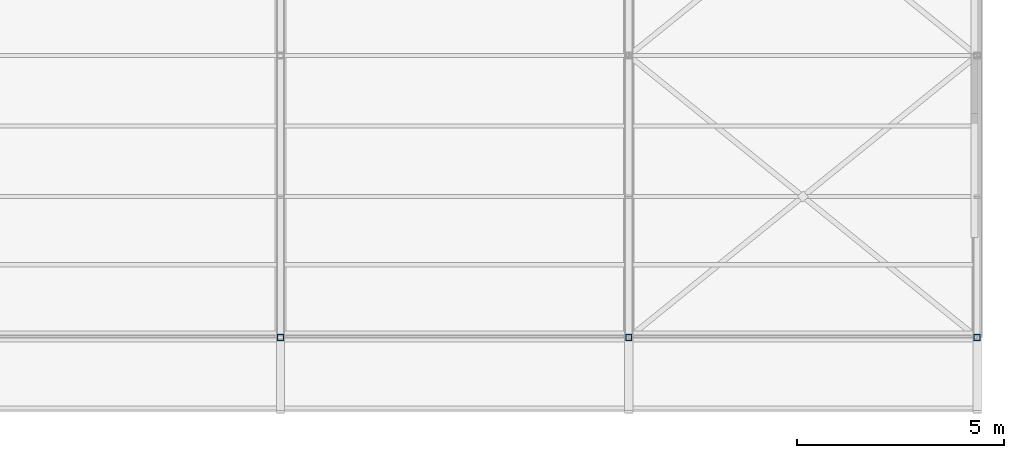
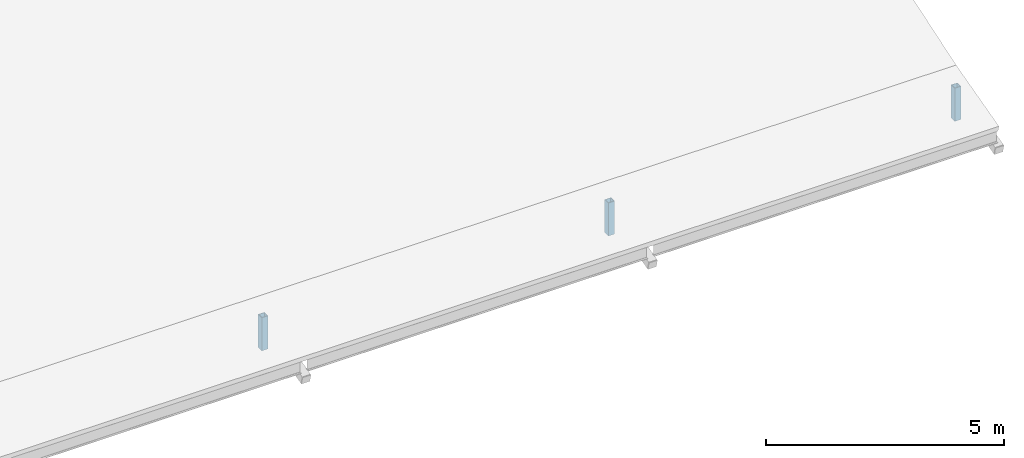
# One storey, part 37 of 89: 3 members.
"""IFC4 building model written with IfcOpenShell, lengths in metres."""

from ifc_helpers import new_model, si_unit, direction, frame, origin, origin_2d, place, context, subcontext, project, spatial, hollow_rectangle, extrude, material, material_profile, profile_set, type_object, element, save


model = new_model("IFC4")

# Units and contexts
model_context = context("Model", 3, precision=1e-05, world=origin(), true_north=direction((0.0, 1.0)))
body_context = subcontext(model_context, "Body", "Model", "MODEL_VIEW")
ifc_project = project(units=[si_unit("LENGTHUNIT", "METRE"), si_unit("AREAUNIT", "SQUARE_METRE"), si_unit("VOLUMEUNIT", "CUBIC_METRE"), si_unit("PLANEANGLEUNIT", "RADIAN"), si_unit("MASSUNIT", "GRAM", prefix="KILO")], contexts=[model_context])

# Site, building, storey
site_placement = place(None, origin())
site = spatial("IfcSite", under=ifc_project, at=site_placement, CompositionType="ELEMENT")
building_placement = place(site_placement, origin())
building = spatial("IfcBuilding", under=site, at=building_placement, Name="Hlaing Beacon Police Headquarters", CompositionType="ELEMENT")
storey_placement = place(building_placement, frame((0.0, 0.0, 9.89990234375)))
storey = spatial("IfcBuildingStorey", under=building, at=storey_placement, Name="L02", CompositionType="ELEMENT", Elevation=9.89990234375)

# Members
ifc_material = material(Name="Steel ASTM A500 Grade C", Category="steel")
ifc_material_profile = material_profile(ifc_material, hollow_rectangle(XDim=0.15234375, YDim=0.15234375, WallThickness=0.0126953125, at=origin_2d()), Name="HSS6x6x1/2")
ifc_profile_set = profile_set([ifc_material_profile], Name="Steel ASTM A500 Grade C")
member_type = type_object("IfcMemberType", Name="Truss post HSS6x6x1/2", PredefinedType="POST", material=ifc_profile_set)
for number, where, z_axis, x_axis, name in (
    (1, (117.60009765625, 8.39990234375, -1.372802734375), (0.0, 0.0, 1.0), (1.0, 0.0, 0.0), "STR-RT-V3-T4-PS01"),
    (2, (126.0, 8.39990234375, -1.372802734375), (0.0, 0.0, 1.0), (1.0, 0.0, 0.0), "STR-RT-V3-T5-PS01"),
    (3, (134.39990234375, 8.39990234375, -1.372802734375), (0.0, 0.0, 1.0), (1.0, 0.0, 0.0), "STR-RT-V3-T6-PS01"),
):
    element("IfcMember", number, at=place(storey_placement, frame(where, z_axis=z_axis, x_axis=x_axis)), inside=storey, type_object=member_type, Name=name, PredefinedType="POST", context=body_context, shape_type="SweptSolid", body=[
        extrude(hollow_rectangle(XDim=0.15234375, YDim=0.15234375, WallThickness=0.0126953125, at=origin_2d()), origin(), (0.0, 0.0, 1.0), 0.84716796875),
    ])

save(model, "model.ifc")
